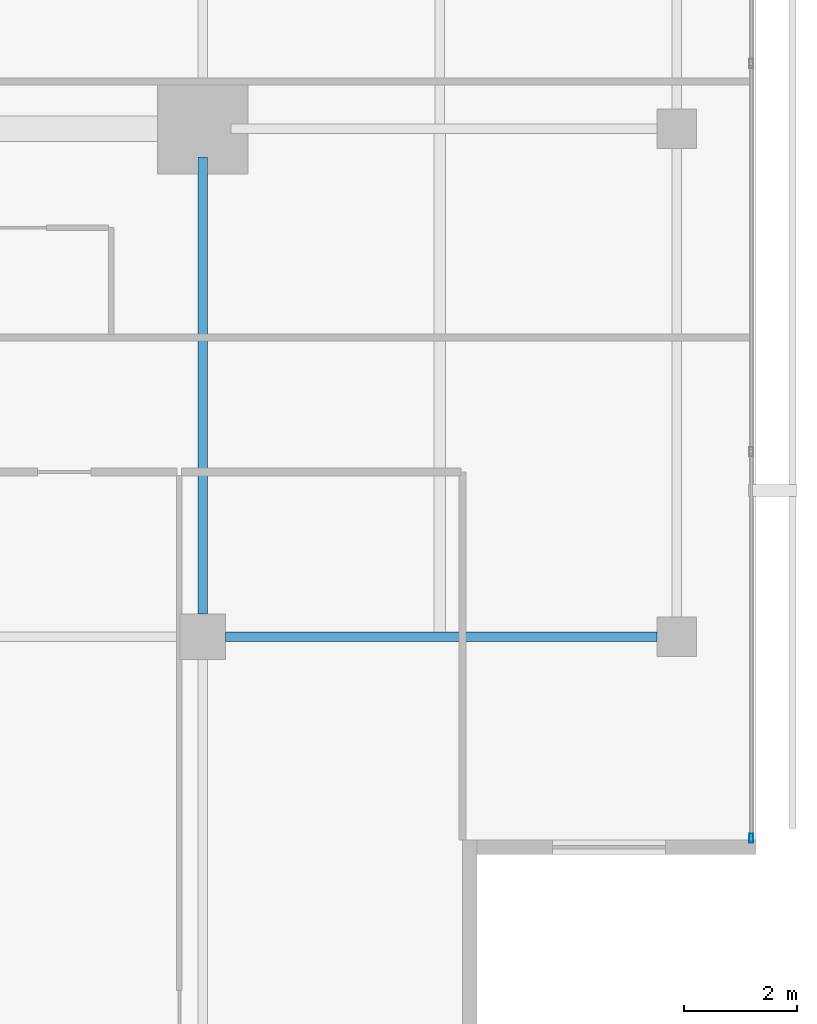
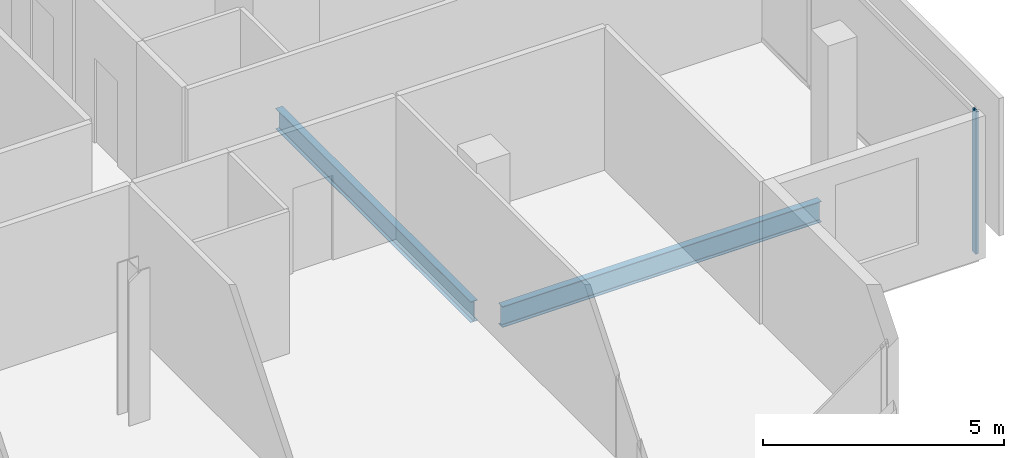
# One storey, part 11 of 26: 2 beams, 1 member, 1 element without a shape of its own.
"""IFC4 building model written with IfcOpenShell, lengths in metres."""

from ifc_helpers import new_model, si_unit, direction, frame, origin, origin_2d, place, context, subcontext, project, spatial, hollow_rectangle, i_section, extrude, material, layer, layer_set, material_profile, profile_set, type_object, element, aggregate, save


model = new_model("IFC4")

# Units and contexts
model_context = context("Model", 3, precision=1e-05, world=origin(), true_north=direction((0.0, 1.0)))
body_context = subcontext(model_context, "Body", "Model", "MODEL_VIEW")
ifc_project = project(units=[si_unit("LENGTHUNIT", "METRE"), si_unit("AREAUNIT", "SQUARE_METRE"), si_unit("VOLUMEUNIT", "CUBIC_METRE"), si_unit("PLANEANGLEUNIT", "RADIAN"), si_unit("MASSUNIT", "GRAM", prefix="KILO")], contexts=[model_context])

# Site, building, storey
site_placement = place(None, origin())
site = spatial("IfcSite", under=ifc_project, at=site_placement, CompositionType="ELEMENT")
building_placement = place(site_placement, origin())
building = spatial("IfcBuilding", under=site, at=building_placement, Name="Maruvema Waterfront Hotel and Observation Tower", CompositionType="ELEMENT")
storey_placement = place(building_placement, frame((0.0, 0.0, 301.0)))
storey = spatial("IfcBuildingStorey", under=building, at=storey_placement, Name="L74", CompositionType="ELEMENT", Elevation=301.0)

# Curtain wall, member
ifc_material_1 = material(Name="Anodised bronze aluminium and solar-control low-E IGU", Category="aluminium")
ifc_layer = layer(ifc_material_1, 0.159912109375, Name="Zone 3 Champagne Inner Thermal Curtain Wall System CW-04")
ifc_layer_set = layer_set([ifc_layer], Name="Anodised bronze aluminium and solar-control low-E IGU")
curtain_wall_type = type_object("IfcCurtainWallType", Name="Zone 3 Champagne Inner Thermal Curtain Wall System CW-04", PredefinedType="USERDEFINED", material=ifc_layer_set)
curtain_wall_placement = place(storey_placement, origin())
curtain_wall = element("IfcCurtainWall", 1, at=curtain_wall_placement, inside=storey, type_object=curtain_wall_type, Name="L74 Curtain Wall CW-L74-E", ObjectType="UNITISED CURTAIN WALL", PredefinedType="USERDEFINED")
ifc_material_2 = material(Name="Anodised architectural bronze aluminium", Category="aluminium")
ifc_material_profile_1 = material_profile(ifc_material_2, hollow_rectangle(XDim=0.06494140625, YDim=0.1650390625, WallThickness=0.00390625, at=origin_2d()), Name="ALU-M65x165")
ifc_profile_set_1 = profile_set([ifc_material_profile_1], Name="Anodised architectural bronze aluminium")
member_type = type_object("IfcMemberType", Name="Curtain Wall Primary Mullion ALU-M65x165", PredefinedType="MULLION", material=ifc_profile_set_1)
member_placement = place(storey_placement, frame((60.1201171875, 14.429931640625, 0.0), z_axis=(0.0, 0.0, 1.0), x_axis=(-1.0, 0.0, 0.0)))
member = element("IfcMember", 2, at=member_placement, type_object=member_type, Name="CW-04 mullion 1", PredefinedType="MULLION", context=body_context, shape_type="SweptSolid", body=[
    extrude(hollow_rectangle(XDim=0.06494140625, YDim=0.1650390625, WallThickness=0.00390625, at=origin_2d()), origin(), (0.0, 0.0, 1.0), 3.610107421875),
])
aggregate(curtain_wall, [member])

# Beams
ifc_material_3 = material(Name="Steel ASTM A572 Grade 50", Category="steel")
ifc_material_profile_2 = material_profile(ifc_material_3, i_section(OverallWidth=0.166015625, OverallDepth=0.529052734375, WebThickness=0.009765625, FlangeThickness=0.013671875, FilletRadius=0.014892578125, at=origin_2d()), Name="W530x74.0")
ifc_profile_set_2 = profile_set([ifc_material_profile_2], Name="Steel ASTM A572 Grade 50")
beam_type = type_object("IfcBeamType", Name="Primary Floor Girder W530x74.0", PredefinedType="BEAM", material=ifc_profile_set_2)
beam_1_placement = place(storey_placement, frame((50.800048828125, 18.0, -0.50439453125), z_axis=(1.0, 0.0, 0.0), x_axis=(0.0, 1.0, 0.0)))
element("IfcBeam", 3, at=beam_1_placement, inside=storey, type_object=beam_type, Name="L74 Floor Girder EW-08", PredefinedType="BEAM", context=body_context, shape_type="SweptSolid", body=[
    extrude(i_section(OverallWidth=0.166015625, OverallDepth=0.529052734375, WebThickness=0.009765625, FlangeThickness=0.013671875, FilletRadius=0.014892578125, at=origin_2d()), origin(), (0.0, 0.0, 1.0), 7.64990234375),
])
beam_2_placement = place(storey_placement, frame((50.39990234375, 18.39990234375, -0.50439453125), z_axis=(0.0, 1.0, 0.0), x_axis=(-1.0, 0.0, 0.0)))
element("IfcBeam", 4, at=beam_2_placement, inside=storey, type_object=beam_type, Name="L74 Floor Girder NS-13", PredefinedType="BEAM", context=body_context, shape_type="SweptSolid", body=[
    extrude(i_section(OverallWidth=0.166015625, OverallDepth=0.529052734375, WebThickness=0.009765625, FlangeThickness=0.013671875, FilletRadius=0.014892578125, at=origin_2d()), origin(), (0.0, 0.0, 1.0), 8.10009765625),
])

save(model, "model.ifc")
